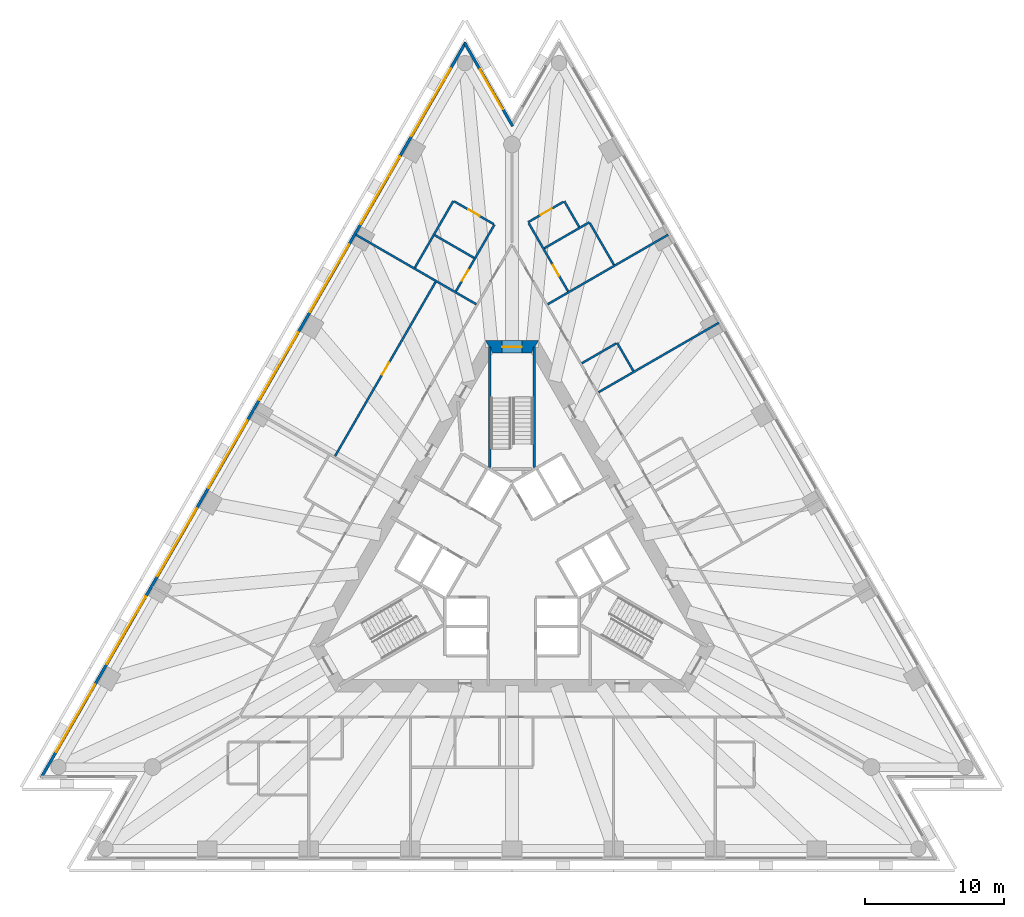
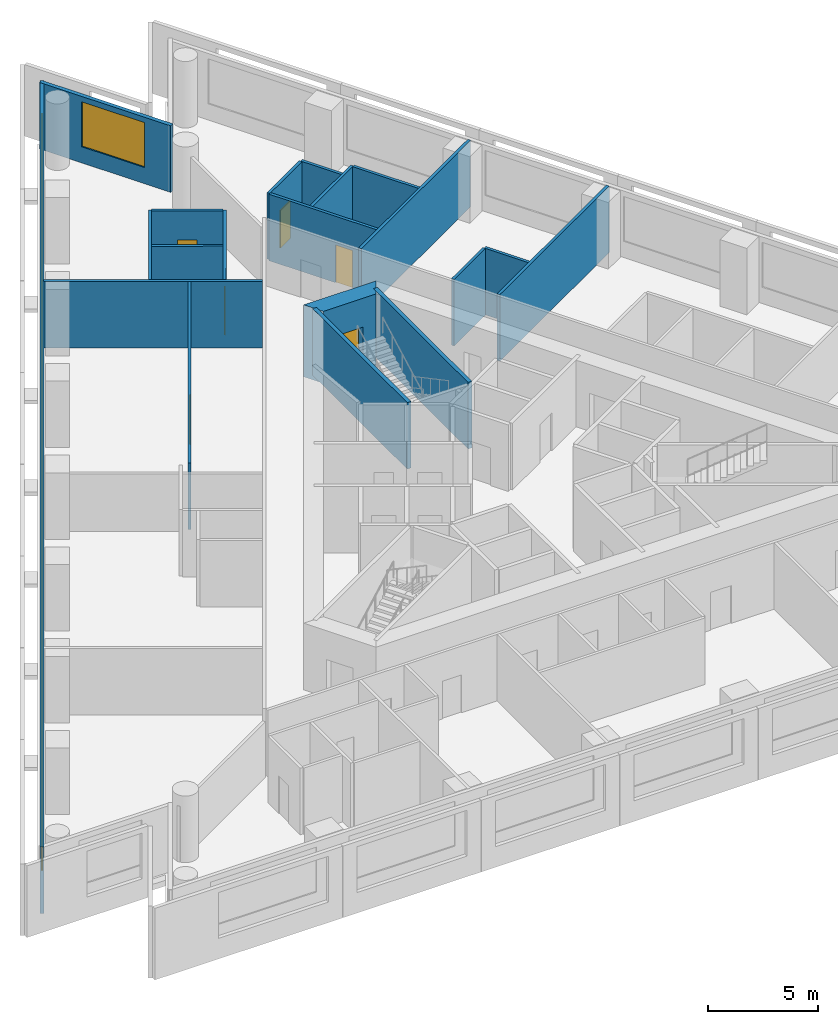
# One storey, part 7 of 11: 20 walls, 9 windows, 6 doors, 15 openings.
"""IFC4 building model written with IfcOpenShell, lengths in metres."""

from ifc_helpers import new_model, si_unit, direction, frame, frame_2d, origin, place, context, subcontext, project, spatial, polyline, rectangle, outline, extrude, material, layer, layer_set, layer_usage, type_object, element, fill, save


model = new_model("IFC4")

# Units and contexts
model_context = context("Model", 3, precision=1e-05, world=origin(), true_north=direction((0.0, 1.0)))
body_context = subcontext(model_context, "Body", "Model", "MODEL_VIEW")
ifc_project = project(units=[si_unit("LENGTHUNIT", "METRE"), si_unit("AREAUNIT", "SQUARE_METRE"), si_unit("VOLUMEUNIT", "CUBIC_METRE"), si_unit("PLANEANGLEUNIT", "RADIAN"), si_unit("MASSUNIT", "GRAM", prefix="KILO")], contexts=[model_context])

# Site, building, storey
site_placement = place(None, origin())
site = spatial("IfcSite", under=ifc_project, at=site_placement, CompositionType="ELEMENT")
building_placement = place(site_placement, origin())
building = spatial("IfcBuilding", under=site, at=building_placement, Name="Triada Interchange Tower", CompositionType="ELEMENT")
storey_placement = place(building_placement, frame((0.0, 0.0, 71.300048828125)))
storey = spatial("IfcBuildingStorey", under=building, at=storey_placement, Name="L15", CompositionType="ELEMENT", Elevation=71.300048828125)

# Walls
ifc_material_1 = material(Name="Concrete C30/37", Category="concrete")
ifc_layer_1 = layer(ifc_material_1, 0.199951171875)
ifc_layer_set_1 = layer_set([ifc_layer_1], Name="CORE WALL 200 REI 240")
wall_type_1 = type_object("IfcWallType", Name="CORE WALL 200 REI 240", PredefinedType="SOLIDWALL", material=ifc_layer_set_1)
for number, where, z_axis, x_axis, name in (
    (1, (1.60009765625, 6.614990234375, 0.0), (0.0, 0.0, 1.0), (0.0, 1.0, 0.0), "Wall L15 96"),
    (2, (-1.60009765625, 6.614990234375, 0.0), (0.0, 0.0, 1.0), (0.0, 1.0, 0.0), "Wall L15 98"),
):
    element("IfcWall", number, at=place(storey_placement, frame(where, z_axis=z_axis, x_axis=x_axis)), inside=storey, type_object=wall_type_1, Name=name, PredefinedType="SOLIDWALL", context=body_context, shape_type="SweptSolid", body=[
        extrude(rectangle(XDim=8.614990234375, YDim=0.199951171875, at=frame_2d((4.3076171875, 0.0))), origin(), (0.0, 0.0, 1.0), 3.699951171875),
    ])

# Wall, opening, door
ifc_material_2 = material(Name="Concrete C70/85", Category="concrete")
ifc_layer_2 = layer(ifc_material_2, 0.89990234375)
ifc_layer_set_2 = layer_set([ifc_layer_2], Name="Core wall A 900")
wall_type_2 = type_object("IfcWallType", Name="Core wall A 900", PredefinedType="SHEAR", material=ifc_layer_set_2)
wall_1_placement = place(storey_placement, frame((1.64501953125, 15.25, -0.300048828125), z_axis=(0.0, 0.0, 1.0), x_axis=(-1.0, 0.0, 0.0)))
wall_1 = element("IfcWall", 3, at=wall_1_placement, inside=storey, type_object=wall_type_2, Name="Core wall WA01 L15", PredefinedType="SHEAR", context=body_context, shape_type="SweptSolid", body=[
    extrude(outline(polyline([(-0.260009765625, -0.449951171875), (1.64501953125, -0.449951171875), (3.550048828125, -0.449951171875), (3.031005859375, 0.449951171875), (1.64501953125, 0.449951171875), (0.259033203125, 0.449951171875), (-0.260009765625, -0.449951171875)])), origin(), (0.0, 0.0, 1.0), 4.0),
])
opening_1_placement = place(wall_1_placement, frame((0.945068359375, 0.0, 0.300048828125)))
opening_1 = element("IfcOpeningElement", 4, at=opening_1_placement, cuts=wall_1, Name="Opening D15-44", PredefinedType="OPENING", context=body_context, shape_type="SweptSolid", body=[
    extrude(rectangle(XDim=1.39990234375, YDim=2.10009765625, at=frame_2d((0.699951171875, 1.050048828125))), frame((0.0, 0.4599609375, 0.0), z_axis=(0.0, -1.0, 0.0), x_axis=(1.0, 0.0, 0.0)), (0.0, 0.0, 1.0), 0.919921875),
])
ifc_material_3 = material(Name="Steel S235 door leaf", Category="steel")
door_type_1 = type_object("IfcDoorType", Name="STAIR DOOR 1400 EI2 90-C5S200", OperationType="DOUBLE_DOOR_SINGLE_SWING", PredefinedType="DOOR", material=ifc_material_3)
door_1_placement = place(opening_1_placement, origin())
door_1 = element("IfcDoor", 5, at=door_1_placement, inside=storey, type_object=door_type_1, Name="Door D15-44 L15", OperationType="DOUBLE_DOOR_SINGLE_SWING", OverallHeight=2.10009765625, OverallWidth=1.39990234375, PredefinedType="DOOR", context=body_context, shape_type="SweptSolid", body=[
    extrude(rectangle(XDim=1.39990234375, YDim=2.10009765625, at=frame_2d((0.699951171875, 1.050048828125))), frame((0.0, 0.02490234375, 0.0), z_axis=(0.0, -1.0, 0.0), x_axis=(1.0, 0.0, 0.0)), (0.0, 0.0, 1.0), 0.050048828125),
])
fill(opening_1, door_1)

# Wall, openings, windows
ifc_material_4 = material(Name="Cement board")
ifc_layer_3 = layer(ifc_material_4, 0.02001953125, Name="Cement board cladding")
ifc_material_5 = material(Name="Sheathing board")
ifc_layer_4 = layer(ifc_material_5, 0.014892578125, Name="Sheathing board")
ifc_material_6 = material(Name="Mineral wool")
ifc_layer_5 = layer(ifc_material_6, 0.14990234375, Name="Mineral wool between steel studs")
ifc_material_7 = material(Name="Gypsum board")
ifc_layer_6 = layer(ifc_material_7, 0.014892578125, Name="Plasterboard lining")
ifc_layer_set_3 = layer_set([ifc_layer_3, ifc_layer_4, ifc_layer_5, ifc_layer_6], Name="External wall 200")
ifc_layer_usage = layer_usage(ifc_layer_set_3, "AXIS2", "POSITIVE", -0.10009765625)
wall_type_3 = type_object("IfcWallType", Name="External wall 200", PredefinedType="ELEMENTEDWALL", material=ifc_layer_set_3)
wall_2_placement = place(storey_placement, frame((-3.325927734375, 37.083984375, 0.0), z_axis=(0.0, 0.0, 1.0), x_axis=(-0.500000131003, -0.86602532815, 0.0)))
wall_2 = element("IfcWall", 6, at=wall_2_placement, inside=storey, type_object=wall_type_3, material=ifc_layer_usage, Name="External wall L15 NW", PredefinedType="ELEMENTEDWALL", context=body_context, shape_type="SweptSolid", body=[
    extrude(rectangle(XDim=60.88623046875, YDim=0.199951171875, at=frame_2d((30.443115234375, 0.0))), origin(), (0.0, 0.0, 1.0), 3.699951171875),
])
opening_2_placement = place(wall_2_placement, frame((2.14599609375, 0.0, 0.89990234375)))
opening_2 = element("IfcOpeningElement", 7, at=opening_2_placement, cuts=wall_2, Name="Opening WA01", PredefinedType="OPENING", context=body_context, shape_type="SweptSolid", body=[
    extrude(rectangle(XDim=5.60009765625, YDim=2.5, at=frame_2d((2.800048828125, 1.25))), frame((0.0, 0.10986328125, 0.0), z_axis=(0.0, -1.0, 0.0), x_axis=(1.0, 0.0, 0.0)), (0.0, 0.0, 1.0), 0.219970703125),
])
opening_3_placement = place(wall_2_placement, frame((9.43408203125, 0.0, 0.89990234375)))
opening_3 = element("IfcOpeningElement", 8, at=opening_3_placement, cuts=wall_2, Name="Opening WA02", PredefinedType="OPENING", context=body_context, shape_type="SweptSolid", body=[
    extrude(rectangle(XDim=5.60009765625, YDim=2.5, at=frame_2d((2.800048828125, 1.25))), frame((0.0, 0.10986328125, 0.0), z_axis=(0.0, -1.0, 0.0), x_axis=(1.0, 0.0, 0.0)), (0.0, 0.0, 1.0), 0.219970703125),
])
opening_4_placement = place(wall_2_placement, frame((16.720947265625, 0.0, 0.89990234375)))
opening_4 = element("IfcOpeningElement", 9, at=opening_4_placement, cuts=wall_2, Name="Opening WA03", PredefinedType="OPENING", context=body_context, shape_type="SweptSolid", body=[
    extrude(rectangle(XDim=5.60009765625, YDim=2.5, at=frame_2d((2.800048828125, 1.25))), frame((0.0, 0.10986328125, 0.0), z_axis=(0.0, -1.0, 0.0), x_axis=(1.0, 0.0, 0.0)), (0.0, 0.0, 1.0), 0.219970703125),
])
opening_5_placement = place(wall_2_placement, frame((24.009033203125, 0.0, 0.89990234375)))
opening_5 = element("IfcOpeningElement", 10, at=opening_5_placement, cuts=wall_2, Name="Opening WA04", PredefinedType="OPENING", context=body_context, shape_type="SweptSolid", body=[
    extrude(rectangle(XDim=5.60009765625, YDim=2.5, at=frame_2d((2.800048828125, 1.25))), frame((0.0, 0.10986328125, 0.0), z_axis=(0.0, -1.0, 0.0), x_axis=(1.0, 0.0, 0.0)), (0.0, 0.0, 1.0), 0.219970703125),
])
opening_6_placement = place(wall_2_placement, frame((31.297119140625, 0.0, 0.89990234375)))
opening_6 = element("IfcOpeningElement", 11, at=opening_6_placement, cuts=wall_2, Name="Opening WA05", PredefinedType="OPENING", context=body_context, shape_type="SweptSolid", body=[
    extrude(rectangle(XDim=5.60009765625, YDim=2.5, at=frame_2d((2.800048828125, 1.25))), frame((0.0, 0.10986328125, 0.0), z_axis=(0.0, -1.0, 0.0), x_axis=(1.0, 0.0, 0.0)), (0.0, 0.0, 1.0), 0.219970703125),
])
opening_7_placement = place(wall_2_placement, frame((38.583984375, 0.0, 0.89990234375)))
opening_7 = element("IfcOpeningElement", 12, at=opening_7_placement, cuts=wall_2, Name="Opening WA06", PredefinedType="OPENING", context=body_context, shape_type="SweptSolid", body=[
    extrude(rectangle(XDim=5.60009765625, YDim=2.5, at=frame_2d((2.800048828125, 1.25))), frame((0.0, 0.10986328125, 0.0), z_axis=(0.0, -1.0, 0.0), x_axis=(1.0, 0.0, 0.0)), (0.0, 0.0, 1.0), 0.219970703125),
])
opening_8_placement = place(wall_2_placement, frame((45.8720703125, 0.0, 0.89990234375)))
opening_8 = element("IfcOpeningElement", 13, at=opening_8_placement, cuts=wall_2, Name="Opening WA07", PredefinedType="OPENING", context=body_context, shape_type="SweptSolid", body=[
    extrude(rectangle(XDim=5.60009765625, YDim=2.5, at=frame_2d((2.800048828125, 1.25))), frame((0.0, 0.10986328125, 0.0), z_axis=(0.0, -1.0, 0.0), x_axis=(1.0, 0.0, 0.0)), (0.0, 0.0, 1.0), 0.219970703125),
])
opening_9_placement = place(wall_2_placement, frame((53.158935546875, 0.0, 0.89990234375)))
opening_9 = element("IfcOpeningElement", 14, at=opening_9_placement, cuts=wall_2, Name="Opening WA08", PredefinedType="OPENING", context=body_context, shape_type="SweptSolid", body=[
    extrude(rectangle(XDim=5.60009765625, YDim=2.5, at=frame_2d((2.800048828125, 1.25))), frame((0.0, 0.10986328125, 0.0), z_axis=(0.0, -1.0, 0.0), x_axis=(1.0, 0.0, 0.0)), (0.0, 0.0, 1.0), 0.219970703125),
])
ifc_material_8 = material(Name="Double glazed aluminium window", Category="aluminium")
window_type_1 = type_object("IfcWindowType", Name="Ribbon window A face", PartitioningType="SINGLE_PANEL", PredefinedType="WINDOW", material=ifc_material_8)
window_1_placement = place(opening_2_placement, origin())
window_1 = element("IfcWindow", 15, at=window_1_placement, inside=storey, type_object=window_type_1, Name="Window L15 NW 1", OverallHeight=2.5, OverallWidth=5.60009765625, PartitioningType="SINGLE_PANEL", PredefinedType="WINDOW", context=body_context, shape_type="SweptSolid", body=[
    extrude(rectangle(XDim=5.60009765625, YDim=2.5, at=frame_2d((2.800048828125, 1.25))), frame((0.0, 0.030029296875, 0.0), z_axis=(0.0, -1.0, 0.0), x_axis=(1.0, 0.0, 0.0)), (0.0, 0.0, 1.0), 0.06005859375),
])
fill(opening_2, window_1)
window_2_placement = place(opening_3_placement, origin())
window_2 = element("IfcWindow", 16, at=window_2_placement, inside=storey, type_object=window_type_1, Name="Window L15 NW 2", OverallHeight=2.5, OverallWidth=5.60009765625, PartitioningType="SINGLE_PANEL", PredefinedType="WINDOW", context=body_context, shape_type="SweptSolid", body=[
    extrude(rectangle(XDim=5.60009765625, YDim=2.5, at=frame_2d((2.800048828125, 1.25))), frame((0.0, 0.030029296875, 0.0), z_axis=(0.0, -1.0, 0.0), x_axis=(1.0, 0.0, 0.0)), (0.0, 0.0, 1.0), 0.06005859375),
])
fill(opening_3, window_2)
window_3_placement = place(opening_4_placement, origin())
window_3 = element("IfcWindow", 17, at=window_3_placement, inside=storey, type_object=window_type_1, Name="Window L15 NW 3", OverallHeight=2.5, OverallWidth=5.60009765625, PartitioningType="SINGLE_PANEL", PredefinedType="WINDOW", context=body_context, shape_type="SweptSolid", body=[
    extrude(rectangle(XDim=5.60009765625, YDim=2.5, at=frame_2d((2.800048828125, 1.25))), frame((0.0, 0.030029296875, 0.0), z_axis=(0.0, -1.0, 0.0), x_axis=(1.0, 0.0, 0.0)), (0.0, 0.0, 1.0), 0.06005859375),
])
fill(opening_4, window_3)
window_4_placement = place(opening_5_placement, origin())
window_4 = element("IfcWindow", 18, at=window_4_placement, inside=storey, type_object=window_type_1, Name="Window L15 NW 4", OverallHeight=2.5, OverallWidth=5.60009765625, PartitioningType="SINGLE_PANEL", PredefinedType="WINDOW", context=body_context, shape_type="SweptSolid", body=[
    extrude(rectangle(XDim=5.60009765625, YDim=2.5, at=frame_2d((2.800048828125, 1.25))), frame((0.0, 0.030029296875, 0.0), z_axis=(0.0, -1.0, 0.0), x_axis=(1.0, 0.0, 0.0)), (0.0, 0.0, 1.0), 0.06005859375),
])
fill(opening_5, window_4)
window_5_placement = place(opening_6_placement, origin())
window_5 = element("IfcWindow", 19, at=window_5_placement, inside=storey, type_object=window_type_1, Name="Window L15 NW 5", OverallHeight=2.5, OverallWidth=5.60009765625, PartitioningType="SINGLE_PANEL", PredefinedType="WINDOW", context=body_context, shape_type="SweptSolid", body=[
    extrude(rectangle(XDim=5.60009765625, YDim=2.5, at=frame_2d((2.800048828125, 1.25))), frame((0.0, 0.030029296875, 0.0), z_axis=(0.0, -1.0, 0.0), x_axis=(1.0, 0.0, 0.0)), (0.0, 0.0, 1.0), 0.06005859375),
])
fill(opening_6, window_5)
window_6_placement = place(opening_7_placement, origin())
window_6 = element("IfcWindow", 20, at=window_6_placement, inside=storey, type_object=window_type_1, Name="Window L15 NW 6", OverallHeight=2.5, OverallWidth=5.60009765625, PartitioningType="SINGLE_PANEL", PredefinedType="WINDOW", context=body_context, shape_type="SweptSolid", body=[
    extrude(rectangle(XDim=5.60009765625, YDim=2.5, at=frame_2d((2.800048828125, 1.25))), frame((0.0, 0.030029296875, 0.0), z_axis=(0.0, -1.0, 0.0), x_axis=(1.0, 0.0, 0.0)), (0.0, 0.0, 1.0), 0.06005859375),
])
fill(opening_7, window_6)
window_7_placement = place(opening_8_placement, origin())
window_7 = element("IfcWindow", 21, at=window_7_placement, inside=storey, type_object=window_type_1, Name="Window L15 NW 7", OverallHeight=2.5, OverallWidth=5.60009765625, PartitioningType="SINGLE_PANEL", PredefinedType="WINDOW", context=body_context, shape_type="SweptSolid", body=[
    extrude(rectangle(XDim=5.60009765625, YDim=2.5, at=frame_2d((2.800048828125, 1.25))), frame((0.0, 0.030029296875, 0.0), z_axis=(0.0, -1.0, 0.0), x_axis=(1.0, 0.0, 0.0)), (0.0, 0.0, 1.0), 0.06005859375),
])
fill(opening_8, window_7)
window_8_placement = place(opening_9_placement, origin())
window_8 = element("IfcWindow", 22, at=window_8_placement, inside=storey, type_object=window_type_1, Name="Window L15 NW 8", OverallHeight=2.5, OverallWidth=5.60009765625, PartitioningType="SINGLE_PANEL", PredefinedType="WINDOW", context=body_context, shape_type="SweptSolid", body=[
    extrude(rectangle(XDim=5.60009765625, YDim=2.5, at=frame_2d((2.800048828125, 1.25))), frame((0.0, 0.030029296875, 0.0), z_axis=(0.0, -1.0, 0.0), x_axis=(1.0, 0.0, 0.0)), (0.0, 0.0, 1.0), 0.06005859375),
])
fill(opening_9, window_8)

# Wall, opening, window
wall_3_placement = place(storey_placement, frame((0.044921875, 31.090087890625, 0.0), z_axis=(0.0, 0.0, 1.0), x_axis=(-0.500023561059, 0.866011800373, 0.0)))
wall_3 = element("IfcWall", 23, at=wall_3_placement, inside=storey, type_object=wall_type_3, material=ifc_layer_usage, Name="External wall L15 N-2", PredefinedType="ELEMENTEDWALL", context=body_context, shape_type="SweptSolid", body=[
    extrude(rectangle(XDim=6.901611328125, YDim=0.199951171875, at=frame_2d((3.45068359375, 0.0))), origin(), (0.0, 0.0, 1.0), 3.699951171875),
])
opening_10_placement = place(wall_3_placement, frame((1.389892578125, 0.0, 0.89990234375)))
opening_10 = element("IfcOpeningElement", 24, at=opening_10_placement, cuts=wall_3, Name="Opening WA30", PredefinedType="OPENING", context=body_context, shape_type="SweptSolid", body=[
    extrude(rectangle(XDim=3.300048828125, YDim=2.5, at=frame_2d((1.64990234375, 1.25))), frame((0.0, 0.10986328125, 0.0), z_axis=(0.0, -1.0, 0.0), x_axis=(1.0, 0.0, 0.0)), (0.0, 0.0, 1.0), 0.219970703125),
])
window_type_2 = type_object("IfcWindowType", Name="Ribbon window A pocket", PartitioningType="SINGLE_PANEL", PredefinedType="WINDOW", material=ifc_material_8)
window_9_placement = place(opening_10_placement, origin())
window_9 = element("IfcWindow", 25, at=window_9_placement, inside=storey, type_object=window_type_2, Name="Window L15 N-2 1", OverallHeight=2.5, OverallWidth=3.300048828125, PartitioningType="SINGLE_PANEL", PredefinedType="WINDOW", context=body_context, shape_type="SweptSolid", body=[
    extrude(rectangle(XDim=3.300048828125, YDim=2.5, at=frame_2d((1.64990234375, 1.25))), frame((0.0, 0.030029296875, 0.0), z_axis=(0.0, -1.0, 0.0), x_axis=(1.0, 0.0, 0.0)), (0.0, 0.0, 1.0), 0.06005859375),
])
fill(opening_10, window_9)

# Walls
ifc_material_9 = material(Name="Gypsum board partition")
ifc_layer_7 = layer(ifc_material_9, 0.14990234375)
ifc_layer_set_4 = layer_set([ifc_layer_7], Name="PARTITION 150 EI 180")
wall_type_4 = type_object("IfcWallType", Name="PARTITION 150 EI 180", PredefinedType="PARTITIONING", material=ifc_layer_set_4)
for number, where, z_axis, x_axis, name in (
    (26, (-11.195068359375, 23.2939453125, 0.0), (0.0, 0.0, 1.0), (0.866018758693, -0.500011509459, 0.0), "Wall L15 14"),
    (27, (2.56298828125, 18.31005859375, 0.0), (0.0, 0.0, 1.0), (0.866018758693, 0.500011509459, 0.0), "Wall L15 22"),
):
    element("IfcWall", number, at=place(storey_placement, frame(where, z_axis=z_axis, x_axis=x_axis)), inside=storey, type_object=wall_type_4, Name=name, PredefinedType="PARTITIONING", context=body_context, shape_type="SweptSolid", body=[
        extrude(rectangle(XDim=9.967529296875, YDim=0.14990234375, at=frame_2d((4.98388671875, 0.0))), origin(), (0.0, 0.0, 1.0), 3.699951171875),
    ])
wall_4_placement = place(storey_placement, frame((7.5400390625, 15.5400390625, 0.0), z_axis=(0.0, 0.0, 1.0), x_axis=(0.499988999718, -0.866031754707, 0.0)))
element("IfcWall", 28, at=wall_4_placement, inside=storey, type_object=wall_type_4, Name="Wall L15 23", PredefinedType="PARTITIONING", context=body_context, shape_type="SweptSolid", body=[
    extrude(rectangle(XDim=2.32568359375, YDim=0.14990234375, at=frame_2d((1.162841796875, 0.0))), origin(), (0.0, 0.0, 1.0), 3.699951171875),
])
wall_5_placement = place(storey_placement, frame((5.007080078125, 14.076904296875, 0.0), z_axis=(0.0, 0.0, 1.0), x_axis=(0.866090043625, 0.499888023795, 0.0)))
element("IfcWall", 29, at=wall_5_placement, inside=storey, type_object=wall_type_4, Name="Wall L15 24", PredefinedType="PARTITIONING", context=body_context, shape_type="SweptSolid", body=[
    extrude(rectangle(XDim=2.850830078125, YDim=0.14990234375, at=frame_2d((1.42529296875, 0.0))), origin(), (0.0, 0.0, 1.0), 3.699951171875),
])
wall_6_placement = place(storey_placement, frame((6.20703125, 11.9990234375, 0.0), z_axis=(0.0, 0.0, 1.0), x_axis=(0.866061182393, 0.499938024511, 0.0)))
element("IfcWall", 30, at=wall_6_placement, inside=storey, type_object=wall_type_4, Name="Wall L15 25", PredefinedType="PARTITIONING", context=body_context, shape_type="SweptSolid", body=[
    extrude(rectangle(XDim=9.967041015625, YDim=0.14990234375, at=frame_2d((4.9833984375, 0.0))), origin(), (0.0, 0.0, 1.0), 3.699951171875),
])

# Wall, opening, door
ifc_layer_8 = layer(ifc_material_9, 0.14990234375)
ifc_layer_set_5 = layer_set([ifc_layer_8], Name="PARTITION 150 EI 90")
wall_type_5 = type_object("IfcWallType", Name="PARTITION 150 EI 90", PredefinedType="PARTITIONING", material=ifc_layer_set_5)
wall_7_placement = place(storey_placement, frame((-12.693115234375, 7.4150390625, 0.0), z_axis=(0.0, 0.0, 1.0), x_axis=(0.500017889033, 0.8660150753, 0.0)))
wall_7 = element("IfcWall", 31, at=wall_7_placement, inside=storey, type_object=wall_type_5, Name="Wall L15 40", PredefinedType="PARTITIONING", context=body_context, shape_type="SweptSolid", body=[
    extrude(rectangle(XDim=14.42578125, YDim=0.14990234375, at=frame_2d((7.212890625, 0.0))), origin(), (0.0, 0.0, 1.0), 3.699951171875),
])
opening_11_placement = place(wall_7_placement, frame((6.7509765625, 0.0, 0.0)))
opening_11 = element("IfcOpeningElement", 32, at=opening_11_placement, cuts=wall_7, Name="Opening D15-38", PredefinedType="OPENING", context=body_context, shape_type="SweptSolid", body=[
    extrude(rectangle(XDim=1.0, YDim=2.10009765625, at=frame_2d((0.5, 1.050048828125))), frame((0.0, 0.0849609375, 0.0), z_axis=(0.0, -1.0, 0.0), x_axis=(1.0, 0.0, 0.0)), (0.0, 0.0, 1.0), 0.169921875),
])
door_type_2 = type_object("IfcDoorType", Name="ROOM DOOR 1000 EI2 45-C5S200", OperationType="NOTDEFINED", PredefinedType="DOOR", material=ifc_material_3)
door_2_placement = place(opening_11_placement, origin())
door_2 = element("IfcDoor", 33, at=door_2_placement, inside=storey, type_object=door_type_2, Name="Door D15-38 L15", OperationType="SINGLE_SWING_LEFT", OverallHeight=2.10009765625, OverallWidth=1.0, PredefinedType="DOOR", context=body_context, shape_type="SweptSolid", body=[
    extrude(rectangle(XDim=1.0, YDim=2.10009765625, at=frame_2d((0.5, 1.050048828125))), frame((0.0, 0.02490234375, 0.0), z_axis=(0.0, -1.0, 0.0), x_axis=(1.0, 0.0, 0.0)), (0.0, 0.0, 1.0), 0.050048828125),
])
fill(opening_11, door_2)

# Wall
wall_8_placement = place(storey_placement, frame((-6.964111328125, 20.93798828125, 0.0), z_axis=(0.0, 0.0, 1.0), x_axis=(0.499950687084, 0.866053872738, 0.0)))
element("IfcWall", 34, at=wall_8_placement, inside=storey, type_object=wall_type_5, Name="Wall L15 41", PredefinedType="PARTITIONING", context=body_context, shape_type="SweptSolid", body=[
    extrude(rectangle(XDim=5.52490234375, YDim=0.14990234375, at=frame_2d((2.762451171875, 0.0))), origin(), (0.0, 0.0, 1.0), 3.699951171875),
])

# Wall, opening, door
wall_9_placement = place(storey_placement, frame((-4.02001953125, 19.238037109375, 0.0), z_axis=(0.0, 0.0, 1.0), x_axis=(0.500050108258, 0.865996471835, 0.0)))
wall_9 = element("IfcWall", 35, at=wall_9_placement, inside=storey, type_object=wall_type_5, Name="Wall L15 42", PredefinedType="PARTITIONING", context=body_context, shape_type="SweptSolid", body=[
    extrude(rectangle(XDim=5.525390625, YDim=0.14990234375, at=frame_2d((2.7626953125, 0.0))), origin(), (0.0, 0.0, 1.0), 3.699951171875),
])
opening_12_placement = place(wall_9_placement, frame((0.875, 0.0, 0.0)))
opening_12 = element("IfcOpeningElement", 36, at=opening_12_placement, cuts=wall_9, Name="Opening D15-35", PredefinedType="OPENING", context=body_context, shape_type="SweptSolid", body=[
    extrude(rectangle(XDim=0.89990234375, YDim=2.10009765625, at=frame_2d((0.449951171875, 1.050048828125))), frame((0.0, 0.0849609375, 0.0), z_axis=(0.0, -1.0, 0.0), x_axis=(1.0, 0.0, 0.0)), (0.0, 0.0, 1.0), 0.169921875),
])
door_type_3 = type_object("IfcDoorType", Name="ROOM DOOR 900 EI2 45-C5S200", OperationType="NOTDEFINED", PredefinedType="DOOR", material=ifc_material_3)
door_3_placement = place(opening_12_placement, origin())
door_3 = element("IfcDoor", 37, at=door_3_placement, inside=storey, type_object=door_type_3, Name="Door D15-35 L15", OperationType="SINGLE_SWING_LEFT", OverallHeight=2.10009765625, OverallWidth=0.89990234375, PredefinedType="DOOR", context=body_context, shape_type="SweptSolid", body=[
    extrude(rectangle(XDim=0.89990234375, YDim=2.10009765625, at=frame_2d((0.449951171875, 1.050048828125))), frame((0.0, 0.02490234375, 0.0), z_axis=(0.0, -1.0, 0.0), x_axis=(1.0, 0.0, 0.0)), (0.0, 0.0, 1.0), 0.050048828125),
])
fill(opening_12, door_3)

wall_10_placement = place(storey_placement, frame((-4.136962890625, 25.68505859375, 0.0), z_axis=(0.0, 0.0, 1.0), x_axis=(0.866053003207, -0.499952193351, 0.0)))
wall_10 = element("IfcWall", 38, at=wall_10_placement, inside=storey, type_object=wall_type_5, Name="Wall L15 43", PredefinedType="PARTITIONING", context=body_context, shape_type="SweptSolid", body=[
    extrude(rectangle(XDim=3.250244140625, YDim=0.14990234375, at=frame_2d((1.625, 0.0))), origin(), (0.0, 0.0, 1.0), 3.699951171875),
])
opening_13_placement = place(wall_10_placement, frame((1.175048828125, 0.0, 0.0)))
opening_13 = element("IfcOpeningElement", 39, at=opening_13_placement, cuts=wall_10, Name="Opening D15-36", PredefinedType="OPENING", context=body_context, shape_type="SweptSolid", body=[
    extrude(rectangle(XDim=0.89990234375, YDim=2.10009765625, at=frame_2d((0.449951171875, 1.050048828125))), frame((0.0, 0.0849609375, 0.0), z_axis=(0.0, -1.0, 0.0), x_axis=(1.0, 0.0, 0.0)), (0.0, 0.0, 1.0), 0.169921875),
])
door_4_placement = place(opening_13_placement, origin())
door_4 = element("IfcDoor", 40, at=door_4_placement, inside=storey, type_object=door_type_3, Name="Door D15-36 L15", OperationType="SINGLE_SWING_LEFT", OverallHeight=2.10009765625, OverallWidth=0.89990234375, PredefinedType="DOOR", context=body_context, shape_type="SweptSolid", body=[
    extrude(rectangle(XDim=0.89990234375, YDim=2.10009765625, at=frame_2d((0.449951171875, 1.050048828125))), frame((0.0, 0.02490234375, 0.0), z_axis=(0.0, -1.0, 0.0), x_axis=(1.0, 0.0, 0.0)), (0.0, 0.0, 1.0), 0.050048828125),
])
fill(opening_13, door_4)

# Walls
wall_11_placement = place(storey_placement, frame((-5.537109375, 23.260009765625, 0.0), z_axis=(0.0, 0.0, 1.0), x_axis=(0.866071776036, -0.499919672301, 0.0)))
element("IfcWall", 41, at=wall_11_placement, inside=storey, type_object=wall_type_5, Name="Wall L15 44", PredefinedType="PARTITIONING", context=body_context, shape_type="SweptSolid", body=[
    extrude(rectangle(XDim=3.25048828125, YDim=0.14990234375, at=frame_2d((1.625244140625, 0.0))), origin(), (0.0, 0.0, 1.0), 3.699951171875),
])
wall_12_placement = place(storey_placement, frame((2.322021484375, 22.327880859375, 0.0), z_axis=(0.0, 0.0, 1.0), x_axis=(0.865971665278, 0.500093066274, 0.0)))
element("IfcWall", 42, at=wall_12_placement, inside=storey, type_object=wall_type_5, Name="Wall L15 45", PredefinedType="PARTITIONING", context=body_context, shape_type="SweptSolid", body=[
    extrude(rectangle(XDim=3.725341796875, YDim=0.14990234375, at=frame_2d((1.86279296875, 0.0))), origin(), (0.0, 0.0, 1.0), 3.699951171875),
])
wall_13_placement = place(storey_placement, frame((3.7548828125, 25.696044921875, 0.0), z_axis=(0.0, 0.0, 1.0), x_axis=(0.500302479123, -0.865850696935, 0.0)))
element("IfcWall", 43, at=wall_13_placement, inside=storey, type_object=wall_type_5, Name="Wall L15 46", PredefinedType="PARTITIONING", context=body_context, shape_type="SweptSolid", body=[
    extrude(rectangle(XDim=2.125244140625, YDim=0.14990234375, at=frame_2d((1.0625, 0.0))), origin(), (0.0, 0.0, 1.0), 3.699951171875),
])

# Wall, opening, door
wall_14_placement = place(storey_placement, frame((1.156982421875, 24.196044921875, 0.0), z_axis=(0.0, 0.0, 1.0), x_axis=(0.866098016745, 0.499874209568, 0.0)))
wall_14 = element("IfcWall", 44, at=wall_14_placement, inside=storey, type_object=wall_type_5, Name="Wall L15 47", PredefinedType="PARTITIONING", context=body_context, shape_type="SweptSolid", body=[
    extrude(rectangle(XDim=2.924560546875, YDim=0.14990234375, at=frame_2d((1.46240234375, 0.0))), origin(), (0.0, 0.0, 1.0), 3.699951171875),
])
opening_14_placement = place(wall_14_placement, frame((1.050048828125, 0.0, 0.0)))
opening_14 = element("IfcOpeningElement", 45, at=opening_14_placement, cuts=wall_14, Name="Opening D15-33", PredefinedType="OPENING", context=body_context, shape_type="SweptSolid", body=[
    extrude(rectangle(XDim=0.89990234375, YDim=2.10009765625, at=frame_2d((0.449951171875, 1.050048828125))), frame((0.0, 0.0849609375, 0.0), z_axis=(0.0, -1.0, 0.0), x_axis=(1.0, 0.0, 0.0)), (0.0, 0.0, 1.0), 0.169921875),
])
door_type_4 = type_object("IfcDoorType", Name="SERVICE DOOR 900 EI2 45-C5S200", OperationType="NOTDEFINED", PredefinedType="DOOR", material=ifc_material_3)
door_5_placement = place(opening_14_placement, origin())
door_5 = element("IfcDoor", 46, at=door_5_placement, inside=storey, type_object=door_type_4, Name="Door D15-33 L15", OperationType="SINGLE_SWING_RIGHT", OverallHeight=2.10009765625, OverallWidth=0.89990234375, PredefinedType="DOOR", context=body_context, shape_type="SweptSolid", body=[
    extrude(rectangle(XDim=0.89990234375, YDim=2.10009765625, at=frame_2d((0.449951171875, 1.050048828125))), frame((0.0, 0.02490234375, 0.0), z_axis=(0.0, -1.0, 0.0), x_axis=(1.0, 0.0, 0.0)), (0.0, 0.0, 1.0), 0.050048828125),
])
fill(opening_14, door_5)

wall_15_placement = place(storey_placement, frame((1.195068359375, 24.131103515625, 0.0), z_axis=(0.0, 0.0, 1.0), x_axis=(0.499991765245, -0.86603015807, 0.0)))
wall_15 = element("IfcWall", 47, at=wall_15_placement, inside=storey, type_object=wall_type_5, Name="Wall L15 48", PredefinedType="PARTITIONING", context=body_context, shape_type="SweptSolid", body=[
    extrude(rectangle(XDim=5.64990234375, YDim=0.14990234375, at=frame_2d((2.824951171875, 0.0))), origin(), (0.0, 0.0, 1.0), 3.699951171875),
])
opening_15_placement = place(wall_15_placement, frame((3.47509765625, 0.0, 0.0)))
opening_15 = element("IfcOpeningElement", 48, at=opening_15_placement, cuts=wall_15, Name="Opening D15-32", PredefinedType="OPENING", context=body_context, shape_type="SweptSolid", body=[
    extrude(rectangle(XDim=0.89990234375, YDim=2.10009765625, at=frame_2d((0.449951171875, 1.050048828125))), frame((0.0, 0.0849609375, 0.0), z_axis=(0.0, -1.0, 0.0), x_axis=(1.0, 0.0, 0.0)), (0.0, 0.0, 1.0), 0.169921875),
])
door_6_placement = place(opening_15_placement, origin())
door_6 = element("IfcDoor", 49, at=door_6_placement, inside=storey, type_object=door_type_3, Name="Door D15-32 L15", OperationType="SINGLE_SWING_RIGHT", OverallHeight=2.10009765625, OverallWidth=0.89990234375, PredefinedType="DOOR", context=body_context, shape_type="SweptSolid", body=[
    extrude(rectangle(XDim=0.89990234375, YDim=2.10009765625, at=frame_2d((0.449951171875, 1.050048828125))), frame((0.0, 0.02490234375, 0.0), z_axis=(0.0, -1.0, 0.0), x_axis=(1.0, 0.0, 0.0)), (0.0, 0.0, 1.0), 0.050048828125),
])
fill(opening_15, door_6)

# Wall
wall_16_placement = place(storey_placement, frame((5.5849609375, 24.1259765625, 0.0), z_axis=(0.0, 0.0, 1.0), x_axis=(0.49998991961, -0.866031223622, 0.0)))
element("IfcWall", 50, at=wall_16_placement, inside=storey, type_object=wall_type_5, Name="Wall L15 49", PredefinedType="PARTITIONING", context=body_context, shape_type="SweptSolid", body=[
    extrude(rectangle(XDim=3.4501953125, YDim=0.14990234375, at=frame_2d((1.72509765625, 0.0))), origin(), (0.0, 0.0, 1.0), 3.699951171875),
])

save(model, "model.ifc")
